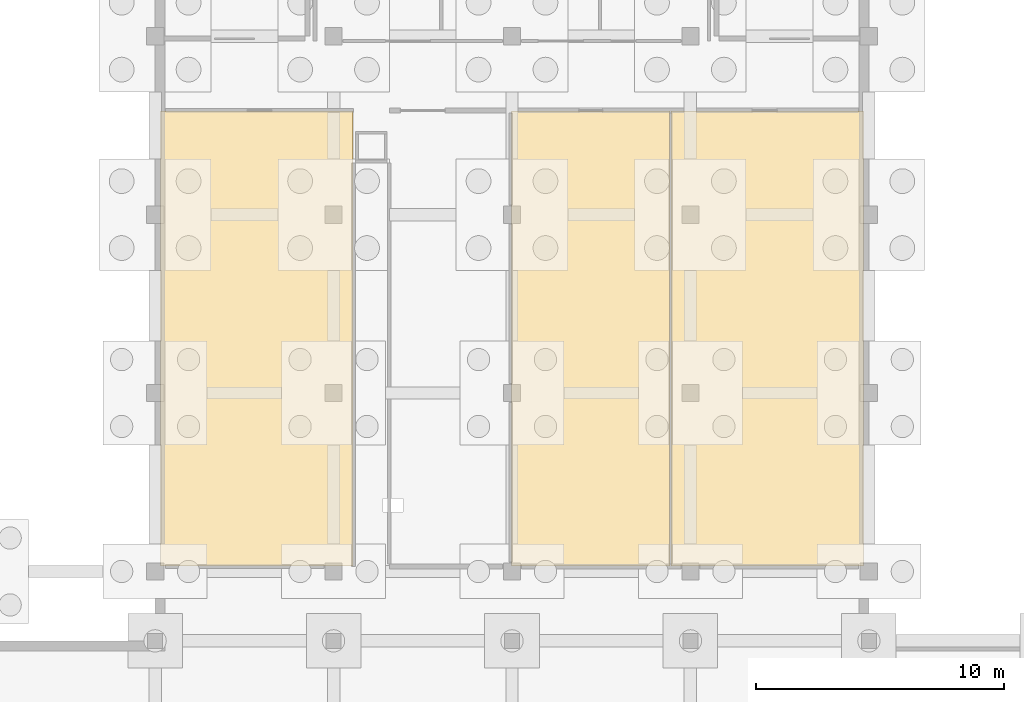
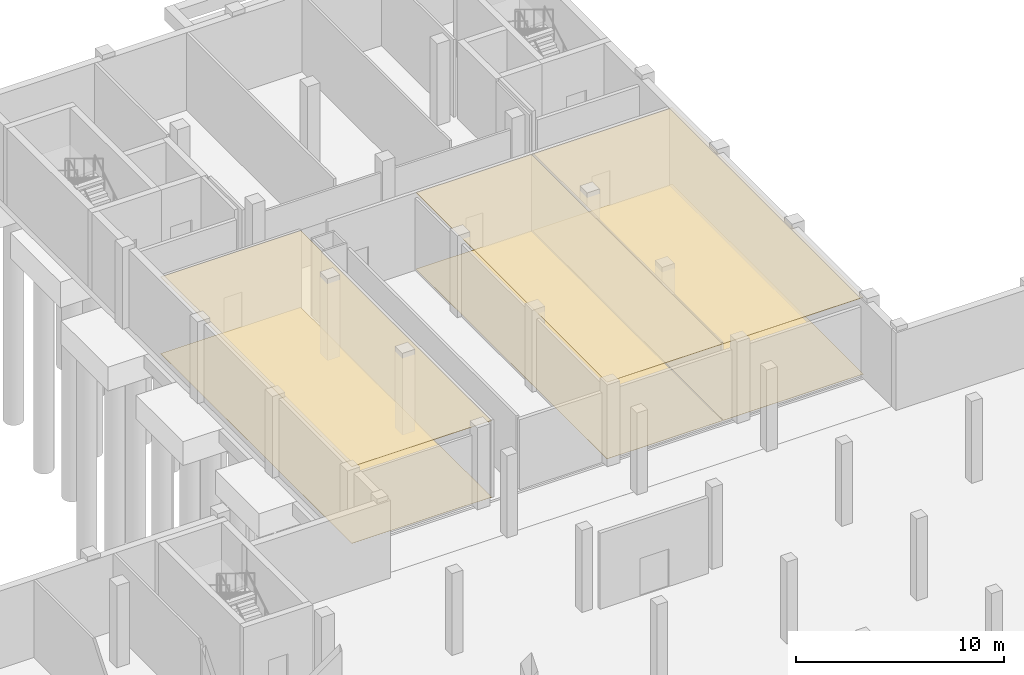
# One storey, part 34 of 35: 6 coverings.
"""IFC4 building model written with IfcOpenShell, lengths in metres."""

from ifc_helpers import new_model, si_unit, direction, frame, origin, place, context, subcontext, project, spatial, polyline, outline, extrude, material, layer, layer_set, type_object, element, save


model = new_model("IFC4")

# Units and contexts
model_context = context("Model", 3, precision=1e-05, world=origin(), true_north=direction((0.0, 1.0)))
body_context = subcontext(model_context, "Body", "Model", "MODEL_VIEW")
ifc_project = project(units=[si_unit("LENGTHUNIT", "METRE"), si_unit("AREAUNIT", "SQUARE_METRE"), si_unit("VOLUMEUNIT", "CUBIC_METRE"), si_unit("PLANEANGLEUNIT", "RADIAN"), si_unit("MASSUNIT", "GRAM", prefix="KILO")], contexts=[model_context])

# Site, building, storey
site_placement = place(None, origin())
site = spatial("IfcSite", under=ifc_project, at=site_placement, CompositionType="ELEMENT")
building_placement = place(site_placement, origin())
building = spatial("IfcBuilding", under=site, at=building_placement, Name="Zarrinpeak Specialist Clinic", CompositionType="ELEMENT")
storey_placement = place(building_placement, frame((0.0, 0.0, -4.800048828125)))
storey = spatial("IfcBuildingStorey", under=building, at=storey_placement, Name="B01", CompositionType="ELEMENT", Elevation=-4.800048828125)

# Coverings
ifc_material_1 = material(Name="Hygienic Acoustic Mineral Fibre Tile")
ifc_layer_1 = layer(ifc_material_1, 0.02490234375)
ifc_layer_set_1 = layer_set([ifc_layer_1], Name="Hygienic Acoustic Mineral Fibre Tile")
covering_type_1 = type_object("IfcCoveringType", Name="CV-CEIL-AC", PredefinedType="CEILING", material=ifc_layer_set_1)
covering_1_placement = place(storey_placement, frame((0.0, 0.0, 4.485107421875)))
element("IfcCovering", 1, at=covering_1_placement, inside=storey, type_object=covering_type_1, Name="B01 Specialist Consultation Room 1 Hygienic Acoustic Ceiling", PredefinedType="CEILING", context=body_context, shape_type="SweptSolid", body=[
    extrude(outline(polyline([(50.3701171875, 82.219970703125), (56.780029296875, 82.219970703125), (56.780029296875, 100.580078125), (50.3701171875, 100.580078125), (50.3701171875, 82.219970703125)])), origin(), (0.0, 0.0, 1.0), 0.02490234375),
])
covering_2_placement = place(storey_placement, frame((0.0, 0.0, 4.485107421875)))
element("IfcCovering", 2, at=covering_2_placement, inside=storey, type_object=covering_type_1, Name="B01 Specialist Consultation Room 2 Hygienic Acoustic Ceiling", PredefinedType="CEILING", context=body_context, shape_type="SweptSolid", body=[
    extrude(outline(polyline([(36.219970703125, 82.219970703125), (43.97998046875, 82.219970703125), (43.97998046875, 100.580078125), (36.219970703125, 100.580078125), (36.219970703125, 82.219970703125)])), origin(), (0.0, 0.0, 1.0), 0.02490234375),
])
covering_3_placement = place(storey_placement, frame((0.0, 0.0, 4.485107421875)))
element("IfcCovering", 3, at=covering_3_placement, inside=storey, type_object=covering_type_1, Name="B01 Specialist Consultation Room 3 Hygienic Acoustic Ceiling", PredefinedType="CEILING", context=body_context, shape_type="SweptSolid", body=[
    extrude(outline(polyline([(56.820068359375, 82.219970703125), (64.580078125, 82.219970703125), (64.580078125, 100.580078125), (56.820068359375, 100.580078125), (56.820068359375, 82.219970703125)])), origin(), (0.0, 0.0, 1.0), 0.02490234375),
])
ifc_material_2 = material(Name="Homogeneous Antimicrobial Clinical Vinyl")
ifc_layer_2 = layer(ifc_material_2, 0.008056640625)
ifc_layer_set_2 = layer_set([ifc_layer_2], Name="Homogeneous Antimicrobial Clinical Vinyl")
covering_type_2 = type_object("IfcCoveringType", Name="CV-FLR-VN", PredefinedType="FLOORING", material=ifc_layer_set_2)
covering_4_placement = place(storey_placement, frame((0.0, 0.0, 0.0009765625)))
element("IfcCovering", 4, at=covering_4_placement, inside=storey, type_object=covering_type_2, Name="B01 Specialist Consultation Room 1 Antimicrobial Vinyl Flooring", PredefinedType="FLOORING", context=body_context, shape_type="SweptSolid", body=[
    extrude(outline(polyline([(50.3701171875, 82.219970703125), (56.780029296875, 82.219970703125), (56.780029296875, 100.580078125), (50.3701171875, 100.580078125), (50.3701171875, 82.219970703125)])), origin(), (0.0, 0.0, 1.0), 0.008056640625),
])
covering_5_placement = place(storey_placement, frame((0.0, 0.0, 0.0009765625)))
element("IfcCovering", 5, at=covering_5_placement, inside=storey, type_object=covering_type_2, Name="B01 Specialist Consultation Room 2 Antimicrobial Vinyl Flooring", PredefinedType="FLOORING", context=body_context, shape_type="SweptSolid", body=[
    extrude(outline(polyline([(36.219970703125, 82.219970703125), (43.97998046875, 82.219970703125), (43.97998046875, 100.580078125), (36.219970703125, 100.580078125), (36.219970703125, 82.219970703125)])), origin(), (0.0, 0.0, 1.0), 0.008056640625),
])
covering_6_placement = place(storey_placement, frame((0.0, 0.0, 0.0009765625)))
element("IfcCovering", 6, at=covering_6_placement, inside=storey, type_object=covering_type_2, Name="B01 Specialist Consultation Room 3 Antimicrobial Vinyl Flooring", PredefinedType="FLOORING", context=body_context, shape_type="SweptSolid", body=[
    extrude(outline(polyline([(56.820068359375, 82.219970703125), (64.580078125, 82.219970703125), (64.580078125, 100.580078125), (56.820068359375, 100.580078125), (56.820068359375, 82.219970703125)])), origin(), (0.0, 0.0, 1.0), 0.008056640625),
])

save(model, "model.ifc")
